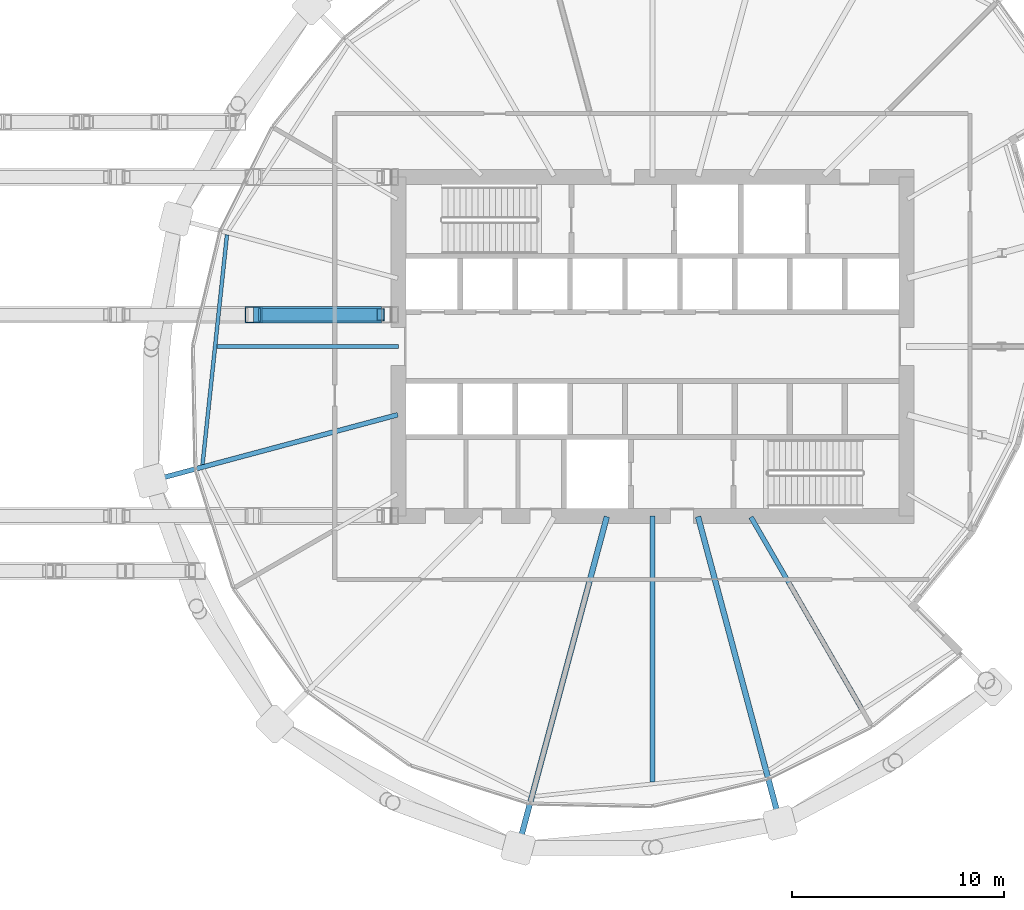
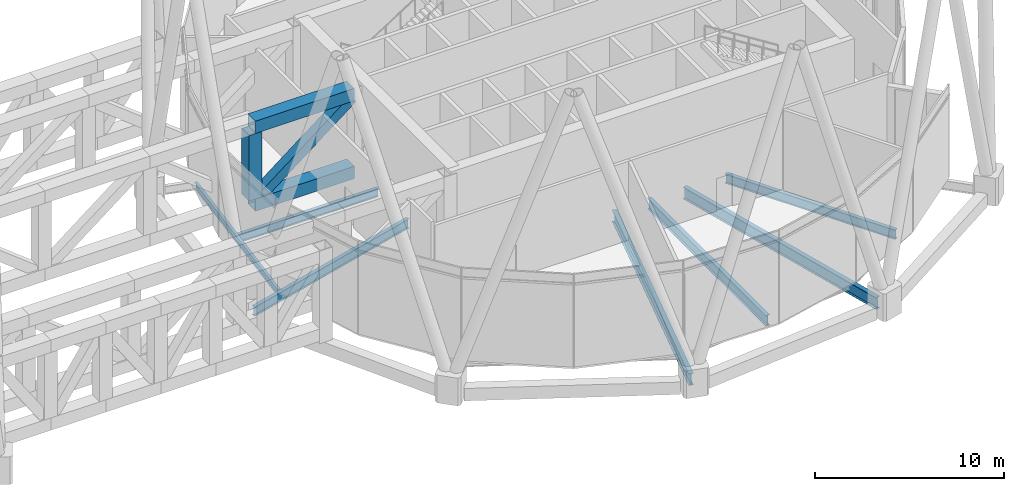
# One storey, part 21 of 39: 7 beams, 4 members.
"""IFC4 building model written with IfcOpenShell, lengths in metres."""

import ifcopenshell
import ifcopenshell.guid

model = None  # the IFC model being written
_history = None  # IfcOwnerHistory: only IFC2X3 demands one
_inside = {}  # id of a spatial element -> (the spatial element, [elements in it])
_under = {}  # id of a project, library or spatial element -> (it, [spatial elements below it])
_declared = {}  # id of a project -> (the project, [libraries it declares])
_typed = {}  # id of a type object -> (the type object, [elements of that type])
_made_of = {}  # id of a material, layer set ... -> (it, [elements and type objects made of it])


def new_model(schema):
    """Start an empty IFC model of exactly this schema.

    Asked for "IFC4X3", IfcOpenShell would pick the latest addendum, in which some entities
    have other attributes; the version numbers below select the first issue.
    IFC2X3 requires an IfcOwnerHistory on every rooted entity: one is made here for all.
    """
    global model, _history
    if schema == "IFC4X3":
        model = ifcopenshell.file(schema_version=(4, 3, 0, 0))
    else:
        model = ifcopenshell.file(schema=schema)
    _inside.clear()
    _under.clear()
    _declared.clear()
    _typed.clear()
    _made_of.clear()
    _history = None
    if model.schema == "IFC2X3":
        org = make("IfcOrganization", Name="unknown")
        user = make(
            "IfcPersonAndOrganization",
            ThePerson=make("IfcPerson", FamilyName="unknown"),
            TheOrganization=org,
        )
        app = make(
            "IfcApplication",
            ApplicationDeveloper=org,
            Version="unknown",
            ApplicationFullName="unknown",
            ApplicationIdentifier="unknown",
        )
        _history = make(
            "IfcOwnerHistory",
            OwningUser=user,
            OwningApplication=app,
            ChangeAction="ADDED",
            CreationDate=0,
        )
    return model


def make(cls, **values):
    """One entity of the class cls with the attributes given. An attribute that is None is left unset."""
    return model.create_entity(
        cls, **{name: value for name, value in values.items() if value is not None}
    )


def rooted(cls, **values):
    """An entity with a GlobalId (a new one), such as an element, a storey or a relation."""
    return make(cls, GlobalId=ifcopenshell.guid.new(), OwnerHistory=_history, **values)


def si_unit(unit_type, name, prefix=None):
    """IfcSIUnit, for example si_unit("LENGTHUNIT", "METRE", prefix="MILLI")."""
    return make("IfcSIUnit", UnitType=unit_type, Prefix=prefix, Name=name)


def assignment(units):
    """IfcUnitAssignment: the units of a project."""
    return None if units is None else make("IfcUnitAssignment", Units=units)


def point(xyz):
    """IfcCartesianPoint."""
    return None if xyz is None else make("IfcCartesianPoint", Coordinates=xyz)


def direction(xyz):
    """IfcDirection."""
    return None if xyz is None else make("IfcDirection", DirectionRatios=xyz)


def frame(location, z_axis=None, x_axis=None):
    """IfcAxis2Placement3D, a coordinate frame: its origin and axes. An axis left out is left unset."""
    return make(
        "IfcAxis2Placement3D",
        Location=point(location),
        Axis=direction(z_axis),
        RefDirection=direction(x_axis),
    )


def frame_2d(location, x_axis=None):
    """IfcAxis2Placement2D, a coordinate frame in the plane: its origin and x axis."""
    return make(
        "IfcAxis2Placement2D", Location=point(location), RefDirection=direction(x_axis)
    )


def origin():
    """The frame at (0, 0, 0) with its axes left unset."""
    return frame((0.0, 0.0, 0.0))


def origin_2d():
    """The frame at (0, 0) in the plane with its x axis left unset."""
    return frame_2d((0.0, 0.0))


def place(relative_to, where):
    """IfcLocalPlacement: puts the frame where relative to a parent placement (None: the world)."""
    return make(
        "IfcLocalPlacement", PlacementRelTo=relative_to, RelativePlacement=where
    )


def context(
    kind, dimensions, precision=None, world=None, true_north=None, identifier=None
):
    """IfcGeometricRepresentationContext, for example the 3D "Model" context."""
    return make(
        "IfcGeometricRepresentationContext",
        ContextIdentifier=identifier,
        ContextType=kind,
        CoordinateSpaceDimension=dimensions,
        Precision=precision,
        WorldCoordinateSystem=world,
        TrueNorth=true_north,
    )


def subcontext(parent, identifier, kind, view, scale=None):
    """IfcGeometricRepresentationSubContext, for example "Body" below "Model"."""
    return make(
        "IfcGeometricRepresentationSubContext",
        ContextIdentifier=identifier,
        ContextType=kind,
        ParentContext=parent,
        TargetScale=scale,
        TargetView=view,
    )


def project(units=None, contexts=None):
    """IfcProject with its units and contexts."""
    return rooted(
        "IfcProject",
        Name="project",
        RepresentationContexts=contexts,
        UnitsInContext=assignment(units),
    )


def spatial(cls, under=None, at=None, **own):
    """A site, building, storey or space (cls), placed at a placement, below another one or the project."""
    s = rooted(cls, ObjectPlacement=at, **own)
    if under is not None:
        _under.setdefault(under.id(), (under, []))[1].append(s)
    return s


def profile(cls, at=None, kind="AREA", **sizes):
    """A parametric profile (cls). Its sizes go by their IFC names, for example OverallWidth=200.0."""
    return make(cls, ProfileType=kind, Position=at, **sizes)


def hollow_rectangle(**sizes):
    """IfcRectangleHollowProfileDef."""
    return profile("IfcRectangleHollowProfileDef", **sizes)


def i_section(**sizes):
    """IfcIShapeProfileDef."""
    return profile("IfcIShapeProfileDef", **sizes)


def extrude(swept, where, along, depth):
    """IfcExtrudedAreaSolid: the profile swept, set in the frame where, extruded along a direction by depth."""
    return make(
        "IfcExtrudedAreaSolid",
        SweptArea=swept,
        Position=where,
        ExtrudedDirection=direction(along),
        Depth=depth,
    )


def shape(context_of_items, identifier, shape_type, items):
    """IfcShapeRepresentation: the items that make up one representation, for example the "Body"."""
    return make(
        "IfcShapeRepresentation",
        ContextOfItems=context_of_items,
        RepresentationIdentifier=identifier,
        RepresentationType=shape_type,
        Items=items,
    )


def material(Name=None, Category=None):
    """IfcMaterial."""
    return make("IfcMaterial", Name=Name, Category=Category)


def material_profile(
    of_material, cross_section, Name=None, Category=None, Priority=None
):
    """IfcMaterialProfile: a cross section and its material."""
    return make(
        "IfcMaterialProfile",
        Name=Name,
        Material=of_material,
        Profile=cross_section,
        Priority=Priority,
        Category=Category,
    )


def profile_set(profiles, Name=None, composite=None):
    """IfcMaterialProfileSet."""
    return make(
        "IfcMaterialProfileSet",
        Name=Name,
        MaterialProfiles=profiles,
        CompositeProfile=composite,
    )


def made_of(thing, what):
    """Note that an element or type object is made of a material, layer set ...; save() writes the relation."""
    if what is not None:
        _made_of.setdefault(what.id(), (what, []))[1].append(thing)
    return thing


def type_object(cls, material=None, **own):
    """A type object (cls), such as IfcWallType, which elements share."""
    return made_of(rooted(cls, **own), material)


def element(
    cls,
    number,
    at=None,
    inside=None,
    cuts=None,
    type_object=None,
    material=None,
    context=None,
    identifier="Body",
    shape_type=None,
    held_by="IfcProductDefinitionShape",
    body=None,
    shapes=None,
    **own,
):
    """One element of the class cls, such as IfcWall. Its Tag is "e" and its number.

    at: its placement. inside: the storey or other place that contains it. cuts: it is an
    opening in that element (IfcRelVoidsElement). A single representation is given by context,
    identifier, shape_type and body (its items); several are given by shapes. held_by: the class
    of the entity that holds the representations. save() writes the other relations.
    """
    e = rooted(cls, Tag="e%d" % number, ObjectPlacement=at, **own)
    if body is not None:
        shapes = [shape(context, identifier, shape_type, body)]
    if shapes is not None:
        e.Representation = make(held_by, Representations=shapes)
    if inside is not None:
        _inside.setdefault(inside.id(), (inside, []))[1].append(e)
    if cuts is not None:
        rooted(
            "IfcRelVoidsElement", RelatingBuildingElement=cuts, RelatedOpeningElement=e
        )
    if type_object is not None:
        _typed.setdefault(type_object.id(), (type_object, []))[1].append(e)
    return made_of(e, material)


def aggregate(whole, parts):
    """IfcRelAggregates: a whole, such as a stair, and the parts it consists of."""
    return rooted("IfcRelAggregates", RelatingObject=whole, RelatedObjects=parts)


def save(model, path):
    """Write the relations noted so far, then the file.

    IfcRelAggregates (storeys below a building ...), IfcRelContainedInSpatialStructure (elements
    in a storey), IfcRelDefinesByType, IfcRelAssociatesMaterial and IfcRelDeclares: one each for
    every whole, place, type object, material and project.
    """
    for whole, parts in _under.values():
        aggregate(whole, parts)
    for where, things in _inside.values():
        rooted(
            "IfcRelContainedInSpatialStructure",
            RelatedElements=things,
            RelatingStructure=where,
        )
    for kind, things in _typed.values():
        rooted("IfcRelDefinesByType", RelatedObjects=things, RelatingType=kind)
    for what, things in _made_of.values():
        rooted("IfcRelAssociatesMaterial", RelatedObjects=things, RelatingMaterial=what)
    for by, libraries in _declared.values():
        rooted("IfcRelDeclares", RelatingContext=by, RelatedDefinitions=libraries)
    model.write(path)


model = new_model("IFC4")

# Units and contexts
model_context = context("Model", 3, precision=1e-05, world=origin(), true_north=direction((0.0, 1.0)))
body_context = subcontext(model_context, "Body", "Model", "MODEL_VIEW")
ifc_project = project(units=[si_unit("LENGTHUNIT", "METRE"), si_unit("AREAUNIT", "SQUARE_METRE"), si_unit("VOLUMEUNIT", "CUBIC_METRE"), si_unit("PLANEANGLEUNIT", "RADIAN"), si_unit("MASSUNIT", "GRAM", prefix="KILO")], contexts=[model_context])

# Site, building, storey
site_placement = place(None, origin())
site = spatial("IfcSite", under=ifc_project, at=site_placement, CompositionType="ELEMENT")
building_placement = place(site_placement, origin())
building = spatial("IfcBuilding", under=site, at=building_placement, Name="Rimbun Link Towers", CompositionType="ELEMENT")
storey_placement = place(building_placement, frame((0.0, 0.0, 127.199951171875)))
storey = spatial("IfcBuildingStorey", under=building, at=storey_placement, Name="L31", CompositionType="ELEMENT", Elevation=127.199951171875)

# Members
ifc_material_1 = material(Name="Steel S460N", Category="steel")
ifc_material_profile_1 = material_profile(ifc_material_1, hollow_rectangle(XDim=0.800048828125, YDim=0.800048828125, WallThickness=0.050048828125, at=origin_2d()), Name="Link transfer truss chord BOX 800x800x50")
ifc_profile_set_1 = profile_set([ifc_material_profile_1], Name="Steel S460N")
member_type_1 = type_object("IfcMemberType", Name="Link transfer truss chord BOX 800x800x50", PredefinedType="CHORD", material=ifc_profile_set_1)
for number, where, z_axis, x_axis, name in (
    (1, (12.89990234375, 1.5, 0.400146484375), (1.0, 0.0, 0.0), (0.0, 1.0, 0.0), "Link transfer truss chord 2 bottom 05"),
    (2, (12.89990234375, 1.5, 5.43994140625), (1.0, 0.0, 0.0), (0.0, 1.0, 0.0), "Link transfer truss chord 2 top 05"),
):
    element("IfcMember", number, at=place(storey_placement, frame(where, z_axis=z_axis, x_axis=x_axis)), inside=storey, type_object=member_type_1, Name=name, PredefinedType="CHORD", context=body_context, shape_type="SweptSolid", body=[
        extrude(hollow_rectangle(XDim=0.800048828125, YDim=0.800048828125, WallThickness=0.050048828125, at=origin_2d()), origin(), (0.0, 0.0, 1.0), 6.050048828125),
    ])
ifc_material_2 = material(Name="Steel S460N", Category="steel")
ifc_material_profile_2 = material_profile(ifc_material_2, hollow_rectangle(XDim=0.60009765625, YDim=0.60009765625, WallThickness=0.0400390625, at=origin_2d()), Name="Link transfer truss diagonal BOX 600x600x40")
ifc_profile_set_2 = profile_set([ifc_material_profile_2], Name="Steel S460N")
member_type_2 = type_object("IfcMemberType", Name="Link transfer truss diagonal BOX 600x600x40", PredefinedType="BRACE", material=ifc_profile_set_2)
member_1_placement = place(storey_placement, frame((13.33349609375, 1.5, 0.73876953125), z_axis=(0.787951234296, 0.0, 0.61573764898), x_axis=(0.0, 1.0, 0.0)))
element("IfcMember", 3, at=member_1_placement, inside=storey, type_object=member_type_2, Name="Link transfer truss diagonal 2 05", PredefinedType="BRACE", context=body_context, shape_type="SweptSolid", body=[
    extrude(hollow_rectangle(XDim=0.60009765625, YDim=0.60009765625, WallThickness=0.0400390625, at=origin_2d()), origin(), (0.0, 0.0, 1.0), 7.08544921875),
])
ifc_material_3 = material(Name="Steel S460N", Category="steel")
ifc_material_profile_3 = material_profile(ifc_material_3, hollow_rectangle(XDim=0.800048828125, YDim=0.800048828125, WallThickness=0.050048828125, at=origin_2d()), Name="Link transfer truss post BOX 800x800x50")
ifc_profile_set_3 = profile_set([ifc_material_profile_3], Name="Steel S460N")
member_type_3 = type_object("IfcMemberType", Name="Link transfer truss post BOX 800x800x50", PredefinedType="POST", material=ifc_profile_set_3)
member_2_placement = place(storey_placement, frame((12.89990234375, 1.5, 0.800048828125), z_axis=(0.0, 0.0, 1.0), x_axis=(1.0, 0.0, 0.0)))
element("IfcMember", 4, at=member_2_placement, inside=storey, type_object=member_type_3, Name="Link transfer truss post 2-05", PredefinedType="POST", context=body_context, shape_type="SweptSolid", body=[
    extrude(hollow_rectangle(XDim=0.800048828125, YDim=0.800048828125, WallThickness=0.050048828125, at=origin_2d()), origin(), (0.0, 0.0, 1.0), 4.239990234375),
])

# Beams
ifc_material_4 = material(Name="Steel S355J2", Category="steel")
ifc_material_profile_4 = material_profile(ifc_material_4, i_section(OverallWidth=0.177978515625, OverallDepth=0.406494140625, WebThickness=0.0078125, FlangeThickness=0.0126953125, at=origin_2d()), Name="UB 406x178x60")
ifc_profile_set_4 = profile_set([ifc_material_profile_4], Name="Steel S355J2")
beam_type_1 = type_object("IfcBeamType", Name="UB 406x178x60", PredefinedType="BEAM", material=ifc_profile_set_4)
beam_1_placement = place(storey_placement, frame((11.6572265625, 5.2744140625, -0.383056640625), z_axis=(-0.105844902652, -0.994382650986, 0.0), x_axis=(0.994382650986, -0.105844902652, 0.0)))
element("IfcBeam", 5, at=beam_1_placement, inside=storey, type_object=beam_type_1, Name="Edge beam T2 L31 08-10", PredefinedType="BEAM", context=body_context, shape_type="SweptSolid", body=[
    extrude(i_section(OverallWidth=0.177978515625, OverallDepth=0.406494140625, WebThickness=0.0078125, FlangeThickness=0.0126953125, at=origin_2d()), origin(), (0.0, 0.0, 1.0), 10.91015625),
])
ifc_material_5 = material(Name="Steel S355J2", Category="steel")
ifc_material_profile_5 = material_profile(ifc_material_5, i_section(OverallWidth=0.209228515625, OverallDepth=0.533203125, WebThickness=0.010009765625, FlangeThickness=0.015625, at=origin_2d()), Name="UB 533x210x92")
ifc_profile_set_5 = profile_set([ifc_material_profile_5], Name="Steel S355J2")
beam_type_2 = type_object("IfcBeamType", Name="UB 533x210x92", PredefinedType="BEAM", material=ifc_profile_set_5)
beam_2_placement = place(storey_placement, frame((19.7490234375, 0.0, -0.446533203125), z_axis=(-1.0, 0.0, 0.0), x_axis=(0.0, -1.0, 0.0)))
element("IfcBeam", 6, at=beam_2_placement, inside=storey, type_object=beam_type_2, Name="Radial beam T2 L31 09", PredefinedType="BEAM", context=body_context, shape_type="SweptSolid", body=[
    extrude(i_section(OverallWidth=0.209228515625, OverallDepth=0.533203125, WebThickness=0.010009765625, FlangeThickness=0.015625, at=origin_2d()), origin(), (0.0, 0.0, 1.0), 8.562744140625),
])
ifc_material_6 = material(Name="Steel S355J2", Category="steel")
ifc_material_profile_6 = material_profile(ifc_material_6, i_section(OverallWidth=0.2275390625, OverallDepth=0.6025390625, WebThickness=0.010498046875, FlangeThickness=0.014892578125, at=origin_2d()), Name="UB 610x229x101")
ifc_profile_set_6 = profile_set([ifc_material_profile_6], Name="Steel S355J2")
beam_type_3 = type_object("IfcBeamType", Name="UB 610x229x101", PredefinedType="BEAM", material=ifc_profile_set_6)
beam_3_placement = place(storey_placement, frame((19.719482421875, -3.223388671875, -0.481201171875), z_axis=(-0.96592128482, -0.258835993499, 0.0), x_axis=(0.258835993499, -0.96592128482, 0.0)))
element("IfcBeam", 7, at=beam_3_placement, inside=storey, type_object=beam_type_3, Name="Radial beam T2 L31 10", PredefinedType="BEAM", context=body_context, shape_type="SweptSolid", body=[
    extrude(i_section(OverallWidth=0.2275390625, OverallDepth=0.6025390625, WebThickness=0.010498046875, FlangeThickness=0.014892578125, at=origin_2d()), origin(), (0.0, 0.0, 1.0), 11.56298828125),
])
beam_4_placement = place(storey_placement, frame((36.402099609375, -8.057861328125, -0.481201171875), z_axis=(0.500013028607, -0.866017881584, 0.0), x_axis=(0.866017881584, 0.500013028607, 0.0)))
element("IfcBeam", 8, at=beam_4_placement, inside=storey, type_object=beam_type_3, Name="Radial beam T2 L31 17", PredefinedType="BEAM", context=body_context, shape_type="SweptSolid", body=[
    extrude(i_section(OverallWidth=0.2275390625, OverallDepth=0.6025390625, WebThickness=0.010498046875, FlangeThickness=0.014892578125, at=origin_2d()), origin(), (0.0, 0.0, 1.0), 10.424560546875),
])
ifc_material_7 = material(Name="Steel S355J2", Category="steel")
ifc_material_profile_7 = material_profile(ifc_material_7, i_section(OverallWidth=0.253662109375, OverallDepth=0.68359375, WebThickness=0.012451171875, FlangeThickness=0.01904296875, at=origin_2d()), Name="UB 686x254x140")
ifc_profile_set_7 = profile_set([ifc_material_profile_7], Name="Steel S355J2")
beam_type_4 = type_object("IfcBeamType", Name="UB 686x254x140", PredefinedType="BEAM", material=ifc_profile_set_7)
beam_5_placement = place(storey_placement, frame((31.75, -8.0009765625, -0.521728515625), z_axis=(0.0, -1.0, 0.0), x_axis=(1.0, 0.0, 0.0)))
element("IfcBeam", 9, at=beam_5_placement, inside=storey, type_object=beam_type_4, Name="Radial beam T2 L31 15", PredefinedType="BEAM", context=body_context, shape_type="SweptSolid", body=[
    extrude(i_section(OverallWidth=0.253662109375, OverallDepth=0.68359375, WebThickness=0.012451171875, FlangeThickness=0.01904296875, at=origin_2d()), origin(), (0.0, 0.0, 1.0), 12.562744140625),
])
ifc_material_8 = material(Name="Steel S355J2", Category="steel")
ifc_material_profile_8 = material_profile(ifc_material_8, i_section(OverallWidth=0.2666015625, OverallDepth=0.76220703125, WebThickness=0.014404296875, FlangeThickness=0.021484375, at=origin_2d()), Name="UB 762x267x173")
ifc_profile_set_8 = profile_set([ifc_material_profile_8], Name="Steel S355J2")
beam_type_5 = type_object("IfcBeamType", Name="UB 762x267x173", PredefinedType="BEAM", material=ifc_profile_set_8)
beam_6_placement = place(storey_placement, frame((29.596923828125, -8.035400390625, -0.56103515625), z_axis=(-0.25882107296, -0.965925282924, 0.0), x_axis=(0.965925282924, -0.25882107296, 0.0)))
element("IfcBeam", 10, at=beam_6_placement, inside=storey, type_object=beam_type_5, Name="Radial beam T2 L31 14", PredefinedType="BEAM", context=body_context, shape_type="SweptSolid", body=[
    extrude(i_section(OverallWidth=0.2666015625, OverallDepth=0.76220703125, WebThickness=0.014404296875, FlangeThickness=0.021484375, at=origin_2d()), origin(), (0.0, 0.0, 1.0), 15.698974609375),
])
beam_7_placement = place(storey_placement, frame((33.903076171875, -8.035400390625, -0.56103515625), z_axis=(0.258826565787, -0.965923811096, 0.0), x_axis=(0.965923811096, 0.258826565787, 0.0)))
element("IfcBeam", 11, at=beam_7_placement, inside=storey, type_object=beam_type_5, Name="Radial beam T2 L31 16", PredefinedType="BEAM", context=body_context, shape_type="SweptSolid", body=[
    extrude(i_section(OverallWidth=0.2666015625, OverallDepth=0.76220703125, WebThickness=0.014404296875, FlangeThickness=0.021484375, at=origin_2d()), origin(), (0.0, 0.0, 1.0), 14.476318359375),
])

save(model, "model.ifc")
